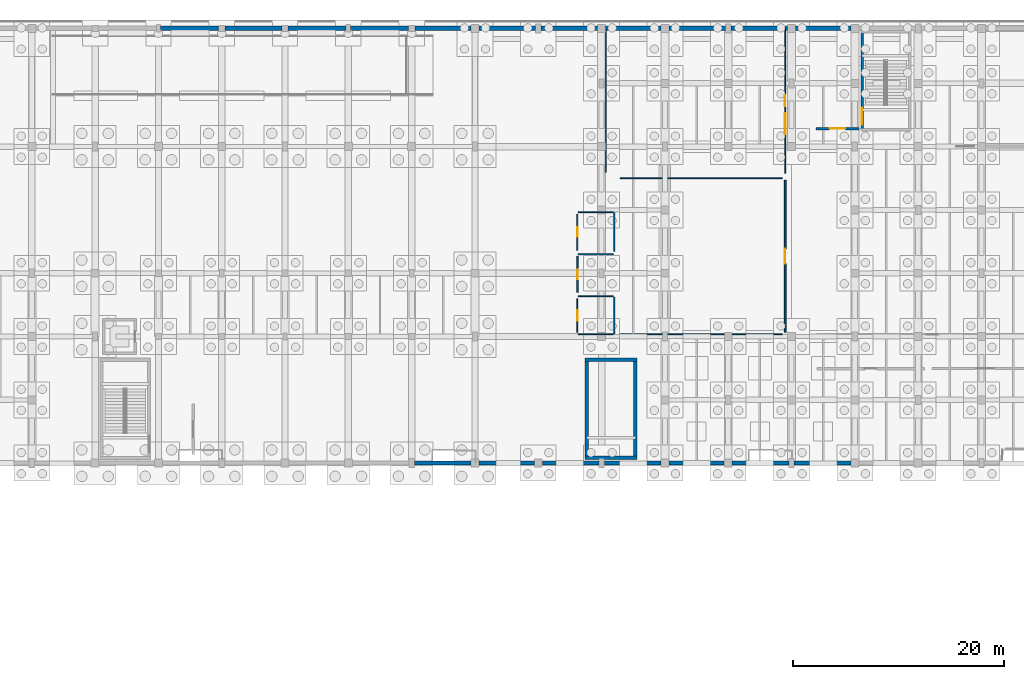
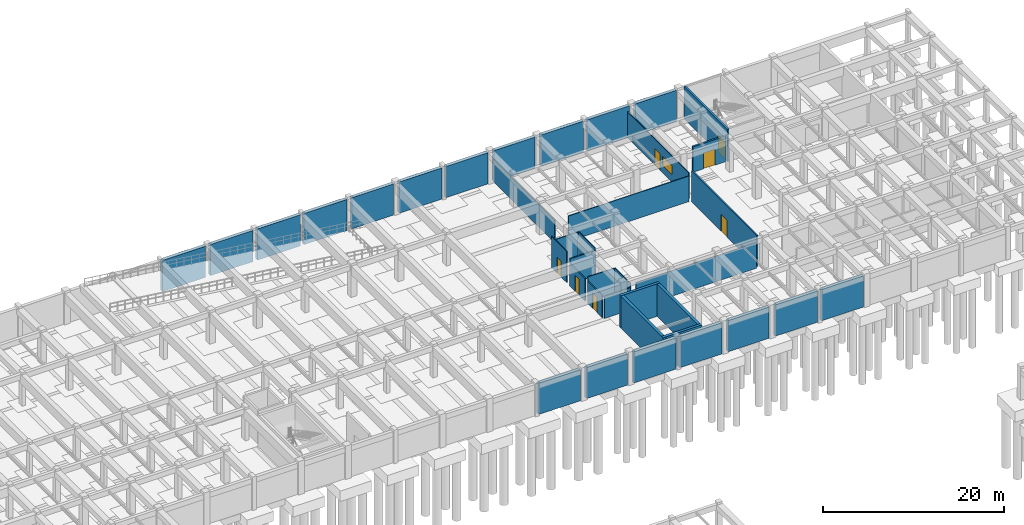
# One storey, part 20 of 32: 38 walls, 7 doors, 1 window, 8 openings.
"""IFC4 building model written with IfcOpenShell, lengths in metres."""

from ifc_helpers import new_model, si_unit, direction, frame, frame_2d, origin, place, context, subcontext, project, spatial, rectangle, extrude, material, layer, layer_set, type_object, element, fill, save


model = new_model("IFC4")

# Units and contexts
model_context = context("Model", 3, precision=1e-05, world=origin(), true_north=direction((0.0, 1.0)))
body_context = subcontext(model_context, "Body", "Model", "MODEL_VIEW")
ifc_project = project(units=[si_unit("LENGTHUNIT", "METRE"), si_unit("AREAUNIT", "SQUARE_METRE"), si_unit("VOLUMEUNIT", "CUBIC_METRE"), si_unit("PLANEANGLEUNIT", "RADIAN"), si_unit("MASSUNIT", "GRAM", prefix="KILO")], contexts=[model_context])

# Site, building, storey
site_placement = place(None, origin())
site = spatial("IfcSite", under=ifc_project, at=site_placement, CompositionType="ELEMENT")
building_placement = place(site_placement, origin())
building = spatial("IfcBuilding", under=site, at=building_placement, Name="Varnakota Square Police Headquarters", CompositionType="ELEMENT")
storey_placement = place(building_placement, frame((0.0, 0.0, -4.5)))
storey = spatial("IfcBuildingStorey", under=building, at=storey_placement, Name="B1", CompositionType="ELEMENT", Elevation=-4.5)

# Wall, opening, door
ifc_material_1 = material(Name="Concrete M40", Category="concrete")
ifc_layer_1 = layer(ifc_material_1, 0.22998046875, Name="Concrete M40")
ifc_layer_set_1 = layer_set([ifc_layer_1], Name="Concrete M40")
wall_type_1 = type_object("IfcWallType", Name="WL-CORE-230", PredefinedType="SHEAR", material=ifc_layer_set_1)
wall_1_placement = place(storey_placement, frame((132.699951171875, 110.014892578125, 0.0), z_axis=(0.0, 0.0, 1.0), x_axis=(0.0, -1.0, 0.0)))
wall_1 = element("IfcWall", 1, at=wall_1_placement, inside=storey, type_object=wall_type_1, Name="Core C8 shear wall B1 W", PredefinedType="SHEAR", context=body_context, shape_type="SweptSolid", body=[
    extrude(rectangle(XDim=9.52978515625, YDim=0.22998046875, at=frame_2d((4.764892578125, 0.0))), origin(), (0.0, 0.0, 1.0), 4.360107421875),
])
opening_1_placement = place(wall_1_placement, frame((7.3349609375, 0.0, 0.0)))
opening_1 = element("IfcOpeningElement", 2, at=opening_1_placement, cuts=wall_1, Name="Opening SD113", PredefinedType="OPENING", context=body_context, shape_type="SweptSolid", body=[
    extrude(rectangle(XDim=1.60009765625, YDim=2.199951171875, at=frame_2d((0.800048828125, 1.10009765625))), frame((0.0, 0.125, 0.0), z_axis=(0.0, -1.0, 0.0), x_axis=(1.0, 0.0, 0.0)), (0.0, 0.0, 1.0), 0.25),
])
ifc_material_2 = material(Name="Powder-Coated Galvanised Steel", Category="steel")
door_type_1 = type_object("IfcDoorType", Name="DR-ST-160", OperationType="NOTDEFINED", PredefinedType="DOOR", material=ifc_material_2)
door_1_placement = place(opening_1_placement, origin())
door_1 = element("IfcDoor", 3, at=door_1_placement, inside=storey, type_object=door_type_1, Name="Protected stair door SD113", OperationType="DOUBLE_DOOR_SINGLE_SWING", OverallHeight=2.199951171875, OverallWidth=1.60009765625, PredefinedType="DOOR", context=body_context, shape_type="SweptSolid", body=[
    extrude(rectangle(XDim=1.60009765625, YDim=2.199951171875, at=frame_2d((0.800048828125, 1.10009765625))), frame((0.0, 0.02490234375, 0.0), z_axis=(0.0, -1.0, 0.0), x_axis=(1.0, 0.0, 0.0)), (0.0, 0.0, 1.0), 0.050048828125),
])
fill(opening_1, door_1)

# Walls
ifc_material_3 = material(Name="Concrete M50", Category="concrete")
ifc_layer_2 = layer(ifc_material_3, 0.35009765625, Name="Concrete M50")
ifc_layer_set_2 = layer_set([ifc_layer_2], Name="Concrete M50")
wall_type_2 = type_object("IfcWallType", Name="WL-CORE-350", PredefinedType="SHEAR", material=ifc_layer_set_2)
wall_2_placement = place(storey_placement, frame((106.425048828125, 69.5, 0.0), z_axis=(0.0, 0.0, 1.0), x_axis=(1.0, 0.0, 0.0)))
element("IfcWall", 4, at=wall_2_placement, inside=storey, type_object=wall_type_2, Name="Core C9 shear wall B1 S", PredefinedType="SHEAR", context=body_context, shape_type="SweptSolid", body=[
    extrude(rectangle(XDim=4.949951171875, YDim=0.35009765625, at=frame_2d((2.47509765625, 0.0))), origin(), (0.0, 0.0, 1.0), 4.360107421875),
])
wall_3_placement = place(storey_placement, frame((111.199951171875, 69.324951171875, 0.0), z_axis=(0.0, 0.0, 1.0), x_axis=(0.0, 1.0, 0.0)))
element("IfcWall", 5, at=wall_3_placement, inside=storey, type_object=wall_type_2, Name="Core C9 shear wall B1 E", PredefinedType="SHEAR", context=body_context, shape_type="SweptSolid", body=[
    extrude(rectangle(XDim=9.650146484375, YDim=0.35009765625, at=frame_2d((4.8251953125, 0.0))), origin(), (0.0, 0.0, 1.0), 4.360107421875),
])
wall_4_placement = place(storey_placement, frame((111.375, 78.800048828125, 0.0), z_axis=(0.0, 0.0, 1.0), x_axis=(-1.0, 0.0, 0.0)))
element("IfcWall", 6, at=wall_4_placement, inside=storey, type_object=wall_type_2, Name="Core C9 shear wall B1 N", PredefinedType="SHEAR", context=body_context, shape_type="SweptSolid", body=[
    extrude(rectangle(XDim=4.949951171875, YDim=0.35009765625, at=frame_2d((2.47509765625, 0.0))), origin(), (0.0, 0.0, 1.0), 4.360107421875),
])
wall_5_placement = place(storey_placement, frame((106.60009765625, 78.97509765625, 0.0), z_axis=(0.0, 0.0, 1.0), x_axis=(0.0, -1.0, 0.0)))
element("IfcWall", 7, at=wall_5_placement, inside=storey, type_object=wall_type_2, Name="Core C9 shear wall B1 W", PredefinedType="SHEAR", context=body_context, shape_type="SweptSolid", body=[
    extrude(rectangle(XDim=9.650146484375, YDim=0.35009765625, at=frame_2d((4.8251953125, 0.0))), origin(), (0.0, 0.0, 1.0), 4.360107421875),
])
ifc_material_4 = material(Name="Lightweight Demountable Office Partition", Category="gypsum")
ifc_layer_3 = layer(ifc_material_4, 0.094970703125, Name="Lightweight Demountable Office Partition")
ifc_layer_set_3 = layer_set([ifc_layer_3], Name="Lightweight Demountable Office Partition")
wall_type_3 = type_object("IfcWallType", Name="WL-PRT-095", PredefinedType="PARTITIONING", material=ifc_layer_set_3)
for number, where, z_axis, x_axis, name in (
    (8, (105.780029296875, 84.800048828125, 0.0), (0.0, 0.0, 1.0), (1.0, 0.0, 0.0), "Interior dividing partition PW-B1-0012 (Basement Accessible WC)"),
    (9, (105.780029296875, 92.800048828125, 0.0), (0.0, 0.0, 1.0), (1.0, 0.0, 0.0), "Interior dividing partition PW-B1-0015 (Basement Staff Women Washroom WC)"),
):
    element("IfcWall", number, at=place(storey_placement, frame(where, z_axis=z_axis, x_axis=x_axis)), inside=storey, type_object=wall_type_3, Name=name, PredefinedType="PARTITIONING", context=body_context, shape_type="SweptSolid", body=[
        extrude(rectangle(XDim=3.340087890625, YDim=0.094970703125, at=frame_2d((1.669921875, 0.0))), origin(), (0.0, 0.0, 1.0), 3.43994140625),
    ])
wall_6_placement = place(storey_placement, frame((109.780029296875, 96.0, 0.0), z_axis=(0.0, 0.0, 1.0), x_axis=(1.0, 0.0, 0.0)))
element("IfcWall", 10, at=wall_6_placement, inside=storey, type_object=wall_type_3, Name="Interior dividing partition PW-B1-0017 (Central Armoury Vault)", PredefinedType="PARTITIONING", context=body_context, shape_type="SweptSolid", body=[
    extrude(rectangle(XDim=15.340087890625, YDim=0.094970703125, at=frame_2d((7.669921875, 0.0))), origin(), (0.0, 0.0, 1.0), 3.43994140625),
])

# Wall, opening, door
ifc_material_5 = material(Name="Glazed Clean-Lab Modular Partition", Category="gypsum")
ifc_layer_4 = layer(ifc_material_5, 0.10498046875, Name="Glazed Clean-Lab Modular Partition")
ifc_layer_set_4 = layer_set([ifc_layer_4], Name="Glazed Clean-Lab Modular Partition")
wall_type_4 = type_object("IfcWallType", Name="WL-PRT-105", PredefinedType="PARTITIONING", material=ifc_layer_set_4)
wall_7_placement = place(storey_placement, frame((105.699951171875, 81.39990234375, 0.0), z_axis=(0.0, 0.0, 1.0), x_axis=(0.0, 1.0, 0.0)))
wall_7 = element("IfcWall", 11, at=wall_7_placement, inside=storey, type_object=wall_type_4, Name="Interior partition PW-B1-0001 (Basement Accessible WC)", PredefinedType="PARTITIONING", context=body_context, shape_type="SweptSolid", body=[
    extrude(rectangle(XDim=3.2001953125, YDim=0.10498046875, at=frame_2d((1.60009765625, 0.0))), origin(), (0.0, 0.0, 1.0), 2.989990234375),
])
opening_2_placement = place(wall_7_placement, frame((1.10009765625, 0.0, 0.0)))
opening_2 = element("IfcOpeningElement", 12, at=opening_2_placement, cuts=wall_7, Name="Opening D143", PredefinedType="OPENING", context=body_context, shape_type="SweptSolid", body=[
    extrude(rectangle(XDim=1.0, YDim=2.10009765625, at=frame_2d((0.5, 1.050048828125))), frame((0.0, 0.0625, 0.0), z_axis=(0.0, -1.0, 0.0), x_axis=(1.0, 0.0, 0.0)), (0.0, 0.0, 1.0), 0.125),
])
ifc_material_6 = material(Name="Antimicrobial High-Pressure Compact Laminate")
door_type_2 = type_object("IfcDoorType", Name="DR-WCA-100", OperationType="NOTDEFINED", PredefinedType="DOOR", material=ifc_material_6)
door_2_placement = place(opening_2_placement, origin())
door_2 = element("IfcDoor", 13, at=door_2_placement, inside=storey, type_object=door_type_2, Name="Room door D143 (Basement Accessible WC)", OperationType="SINGLE_SWING_LEFT", OverallHeight=2.10009765625, OverallWidth=1.0, PredefinedType="DOOR", context=body_context, shape_type="SweptSolid", body=[
    extrude(rectangle(XDim=1.0, YDim=2.10009765625, at=frame_2d((0.5, 1.050048828125))), frame((0.0, 0.02490234375, 0.0), z_axis=(0.0, -1.0, 0.0), x_axis=(1.0, 0.0, 0.0)), (0.0, 0.0, 1.0), 0.050048828125),
])
fill(opening_2, door_2)

# Wall, openings, door, window
wall_8_placement = place(storey_placement, frame((125.39990234375, 110.199951171875, 0.0), z_axis=(0.0, 0.0, 1.0), x_axis=(0.0, -1.0, 0.0)))
wall_8 = element("IfcWall", 14, at=wall_8_placement, inside=storey, type_object=wall_type_4, Name="Interior partition PW-B1-0005 (Quartermaster General Store)", PredefinedType="PARTITIONING", context=body_context, shape_type="SweptSolid", body=[
    extrude(rectangle(XDim=13.699951171875, YDim=0.10498046875, at=frame_2d((6.85009765625, 0.0))), origin(), (0.0, 0.0, 1.0), 3.489990234375),
])
opening_3_placement = place(wall_8_placement, frame((6.324951171875, 0.0, 0.0)))
opening_3 = element("IfcOpeningElement", 15, at=opening_3_placement, cuts=wall_8, Name="Opening D147", PredefinedType="OPENING", context=body_context, shape_type="SweptSolid", body=[
    extrude(rectangle(XDim=1.050048828125, YDim=2.199951171875, at=frame_2d((0.52490234375, 1.10009765625))), frame((0.0, 0.0625, 0.0), z_axis=(0.0, -1.0, 0.0), x_axis=(1.0, 0.0, 0.0)), (0.0, 0.0, 1.0), 0.125),
])
opening_4_placement = place(wall_8_placement, frame((8.02490234375, 0.0, 1.0)))
opening_4 = element("IfcOpeningElement", 16, at=opening_4_placement, cuts=wall_8, Name="Opening IW01", PredefinedType="OPENING", context=body_context, shape_type="SweptSolid", body=[
    extrude(rectangle(XDim=2.0, YDim=1.199951171875, at=frame_2d((1.0, 0.60009765625))), frame((0.0, 0.0625, 0.0), z_axis=(0.0, -1.0, 0.0), x_axis=(1.0, 0.0, 0.0)), (0.0, 0.0, 1.0), 0.125),
])
ifc_material_7 = material(Name="Anodised Aluminium and Laminated Acoustic Glass", Category="aluminium")
door_type_3 = type_object("IfcDoorType", Name="DR-OFF-105", OperationType="NOTDEFINED", PredefinedType="DOOR", material=ifc_material_7)
door_3_placement = place(opening_3_placement, origin())
door_3 = element("IfcDoor", 17, at=door_3_placement, inside=storey, type_object=door_type_3, Name="Room door D147 (Quartermaster General Store)", OperationType="SINGLE_SWING_LEFT", OverallHeight=2.199951171875, OverallWidth=1.050048828125, PredefinedType="DOOR", context=body_context, shape_type="SweptSolid", body=[
    extrude(rectangle(XDim=1.050048828125, YDim=2.199951171875, at=frame_2d((0.52490234375, 1.10009765625))), frame((0.0, 0.02490234375, 0.0), z_axis=(0.0, -1.0, 0.0), x_axis=(1.0, 0.0, 0.0)), (0.0, 0.0, 1.0), 0.050048828125),
])
fill(opening_3, door_3)
ifc_material_8 = material(Name="Acoustic Laminated Interior Vision Glazing", Category="glass")
window_type = type_object("IfcWindowType", Name="WIN-INT-01", PartitioningType="SINGLE_PANEL", PredefinedType="WINDOW", material=ifc_material_8)
window_placement = place(opening_4_placement, origin())
window = element("IfcWindow", 18, at=window_placement, inside=storey, type_object=window_type, Name="Interior observation window IWN-B1-001", OverallHeight=1.199951171875, OverallWidth=2.0, PartitioningType="SINGLE_PANEL", PredefinedType="WINDOW", context=body_context, shape_type="SweptSolid", body=[
    extrude(rectangle(XDim=2.0, YDim=1.199951171875, at=frame_2d((1.0, 0.60009765625))), frame((0.0, 0.030029296875, 0.0), z_axis=(0.0, -1.0, 0.0), x_axis=(1.0, 0.0, 0.0)), (0.0, 0.0, 1.0), 0.06005859375),
])
fill(opening_4, window)

# Walls
wall_9_placement = place(storey_placement, frame((109.1201171875, 81.199951171875, 0.0), z_axis=(0.0, 0.0, 1.0), x_axis=(-1.0, 0.0, 0.0)))
element("IfcWall", 19, at=wall_9_placement, inside=storey, type_object=wall_type_4, Name="Interior dividing partition PW-B1-0011 (Basement Accessible WC)", PredefinedType="PARTITIONING", context=body_context, shape_type="SweptSolid", body=[
    extrude(rectangle(XDim=3.340087890625, YDim=0.10498046875, at=frame_2d((1.669921875, 0.0))), origin(), (0.0, 0.0, 1.0), 2.989990234375),
])
wall_10_placement = place(storey_placement, frame((109.199951171875, 92.719970703125, 0.0), z_axis=(0.0, 0.0, 1.0), x_axis=(0.0, -1.0, 0.0)))
element("IfcWall", 20, at=wall_10_placement, inside=storey, type_object=wall_type_4, Name="Interior dividing partition PW-B1-0014 (Basement Staff Women Washroom WC)", PredefinedType="PARTITIONING", context=body_context, shape_type="SweptSolid", body=[
    extrude(rectangle(XDim=3.639892578125, YDim=0.10498046875, at=frame_2d((1.81982421875, 0.0))), origin(), (0.0, 0.0, 1.0), 3.489990234375),
])
wall_11_placement = place(storey_placement, frame((125.1201171875, 81.199951171875, 0.0), z_axis=(0.0, 0.0, 1.0), x_axis=(-1.0, 0.0, 0.0)))
element("IfcWall", 21, at=wall_11_placement, inside=storey, type_object=wall_type_4, Name="Interior dividing partition PW-B1-0016 (Central Armoury Vault)", PredefinedType="PARTITIONING", context=body_context, shape_type="SweptSolid", body=[
    extrude(rectangle(XDim=15.340087890625, YDim=0.10498046875, at=frame_2d((7.669921875, 0.0))), origin(), (0.0, 0.0, 1.0), 3.43994140625),
])

# Wall, opening, door
ifc_material_9 = material(Name="Moisture-Resistant Tile-Backed Partition", Category="gypsum")
ifc_layer_5 = layer(ifc_material_9, 0.114990234375, Name="Moisture-Resistant Tile-Backed Partition")
ifc_layer_set_5 = layer_set([ifc_layer_5], Name="Moisture-Resistant Tile-Backed Partition")
wall_type_5 = type_object("IfcWallType", Name="WL-PRT-115", PredefinedType="PARTITIONING", material=ifc_layer_set_5)
wall_12_placement = place(storey_placement, frame((105.699951171875, 89.199951171875, 0.0), z_axis=(0.0, 0.0, 1.0), x_axis=(0.0, 1.0, 0.0)))
wall_12 = element("IfcWall", 22, at=wall_12_placement, inside=storey, type_object=wall_type_5, Name="Interior partition PW-B1-0003 (Basement Staff Women Washroom WC)", PredefinedType="PARTITIONING", context=body_context, shape_type="SweptSolid", body=[
    extrude(rectangle(XDim=3.400146484375, YDim=0.114990234375, at=frame_2d((1.7001953125, 0.0))), origin(), (0.0, 0.0, 1.0), 4.18994140625),
])
opening_5_placement = place(wall_12_placement, frame((1.25, 0.0, 0.0)))
opening_5 = element("IfcOpeningElement", 23, at=opening_5_placement, cuts=wall_12, Name="Opening D145", PredefinedType="OPENING", context=body_context, shape_type="SweptSolid", body=[
    extrude(rectangle(XDim=0.89990234375, YDim=2.10009765625, at=frame_2d((0.449951171875, 1.050048828125))), frame((0.0, 0.0673828125, 0.0), z_axis=(0.0, -1.0, 0.0), x_axis=(1.0, 0.0, 0.0)), (0.0, 0.0, 1.0), 0.135009765625),
])
ifc_material_10 = material(Name="High-Pressure Moisture-Resistant Compact Laminate")
door_type_4 = type_object("IfcDoorType", Name="DR-WC-090", OperationType="NOTDEFINED", PredefinedType="DOOR", material=ifc_material_10)
door_4_placement = place(opening_5_placement, origin())
door_4 = element("IfcDoor", 24, at=door_4_placement, inside=storey, type_object=door_type_4, Name="Room door D145 (Basement Staff Women Washroom WC)", OperationType="SINGLE_SWING_LEFT", OverallHeight=2.10009765625, OverallWidth=0.89990234375, PredefinedType="DOOR", context=body_context, shape_type="SweptSolid", body=[
    extrude(rectangle(XDim=0.89990234375, YDim=2.10009765625, at=frame_2d((0.449951171875, 1.050048828125))), frame((0.0, 0.02490234375, 0.0), z_axis=(0.0, -1.0, 0.0), x_axis=(1.0, 0.0, 0.0)), (0.0, 0.0, 1.0), 0.050048828125),
])
fill(opening_5, door_4)

# Walls
wall_13_placement = place(storey_placement, frame((109.199951171875, 84.719970703125, 0.0), z_axis=(0.0, 0.0, 1.0), x_axis=(0.0, -1.0, 0.0)))
element("IfcWall", 25, at=wall_13_placement, inside=storey, type_object=wall_type_5, Name="Interior dividing partition PW-B1-0010 (Basement Accessible WC)", PredefinedType="PARTITIONING", context=body_context, shape_type="SweptSolid", body=[
    extrude(rectangle(XDim=3.43994140625, YDim=0.114990234375, at=frame_2d((1.719970703125, 0.0))), origin(), (0.0, 0.0, 1.0), 3.489990234375),
])
ifc_material_11 = material(Name="Acoustic Insulated Metal-Stud Partition", Category="gypsum")
ifc_layer_6 = layer(ifc_material_11, 0.125, Name="Acoustic Insulated Metal-Stud Partition")
ifc_layer_set_6 = layer_set([ifc_layer_6], Name="Acoustic Insulated Metal-Stud Partition")
wall_type_6 = type_object("IfcWallType", Name="WL-PRT-125", PredefinedType="PARTITIONING", material=ifc_layer_set_6)
wall_14_placement = place(storey_placement, frame((105.780029296875, 88.800048828125, 0.0), z_axis=(0.0, 0.0, 1.0), x_axis=(1.0, 0.0, 0.0)))
element("IfcWall", 26, at=wall_14_placement, inside=storey, type_object=wall_type_6, Name="Interior dividing partition PW-B1-0013 (Basement Staff Men Washroom WC)", PredefinedType="PARTITIONING", context=body_context, shape_type="SweptSolid", body=[
    extrude(rectangle(XDim=3.340087890625, YDim=0.125, at=frame_2d((1.669921875, 0.0))), origin(), (0.0, 0.0, 1.0), 3.43994140625),
])
wall_15_placement = place(storey_placement, frame((108.39990234375, 96.580078125, 0.0), z_axis=(0.0, 0.0, 1.0), x_axis=(0.0, 1.0, 0.0)))
element("IfcWall", 27, at=wall_15_placement, inside=storey, type_object=wall_type_6, Name="Interior dividing partition PW-B1-0018 (Quartermaster General Store)", PredefinedType="PARTITIONING", context=body_context, shape_type="SweptSolid", body=[
    extrude(rectangle(XDim=13.5400390625, YDim=0.125, at=frame_2d((6.77001953125, 0.0))), origin(), (0.0, 0.0, 1.0), 2.989990234375),
])

# Wall, opening, door
ifc_layer_7 = layer(ifc_material_11, 0.139892578125, Name="Acoustic Insulated Metal-Stud Partition")
ifc_layer_set_7 = layer_set([ifc_layer_7], Name="Acoustic Insulated Metal-Stud Partition")
wall_type_7 = type_object("IfcWallType", Name="WL-PRT-140", PredefinedType="PARTITIONING", material=ifc_layer_set_7)
wall_16_placement = place(storey_placement, frame((105.699951171875, 85.199951171875, 0.0), z_axis=(0.0, 0.0, 1.0), x_axis=(0.0, 1.0, 0.0)))
wall_16 = element("IfcWall", 28, at=wall_16_placement, inside=storey, type_object=wall_type_7, Name="Interior partition PW-B1-0002 (Basement Staff Men Washroom WC)", PredefinedType="PARTITIONING", context=body_context, shape_type="SweptSolid", body=[
    extrude(rectangle(XDim=3.400146484375, YDim=0.139892578125, at=frame_2d((1.7001953125, 0.0))), origin(), (0.0, 0.0, 1.0), 2.989990234375),
])
opening_6_placement = place(wall_16_placement, frame((1.25, 0.0, 0.0)))
opening_6 = element("IfcOpeningElement", 29, at=opening_6_placement, cuts=wall_16, Name="Opening D144", PredefinedType="OPENING", context=body_context, shape_type="SweptSolid", body=[
    extrude(rectangle(XDim=0.89990234375, YDim=2.10009765625, at=frame_2d((0.449951171875, 1.050048828125))), frame((0.0, 0.079833984375, 0.0), z_axis=(0.0, -1.0, 0.0), x_axis=(1.0, 0.0, 0.0)), (0.0, 0.0, 1.0), 0.159912109375),
])
door_5_placement = place(opening_6_placement, origin())
door_5 = element("IfcDoor", 30, at=door_5_placement, inside=storey, type_object=door_type_4, Name="Room door D144 (Basement Staff Men Washroom WC)", OperationType="SINGLE_SWING_RIGHT", OverallHeight=2.10009765625, OverallWidth=0.89990234375, PredefinedType="DOOR", context=body_context, shape_type="SweptSolid", body=[
    extrude(rectangle(XDim=0.89990234375, YDim=2.10009765625, at=frame_2d((0.449951171875, 1.050048828125))), frame((0.0, 0.02490234375, 0.0), z_axis=(0.0, -1.0, 0.0), x_axis=(1.0, 0.0, 0.0)), (0.0, 0.0, 1.0), 0.050048828125),
])
fill(opening_6, door_5)

ifc_material_12 = material(Name="Autoclaved Aerated Concrete Blockwork", Category="masonry")
ifc_layer_8 = layer(ifc_material_12, 0.175048828125, Name="Autoclaved Aerated Concrete Blockwork")
ifc_layer_set_8 = layer_set([ifc_layer_8], Name="Autoclaved Aerated Concrete Blockwork")
wall_type_8 = type_object("IfcWallType", Name="WL-PRT-175F", PredefinedType="PARTITIONING", material=ifc_layer_set_8)
wall_17_placement = place(storey_placement, frame((125.39990234375, 95.800048828125, 0.0), z_axis=(0.0, 0.0, 1.0), x_axis=(0.0, -1.0, 0.0)))
wall_17 = element("IfcWall", 31, at=wall_17_placement, inside=storey, type_object=wall_type_8, Name="Interior partition PW-B1-0004 (Central Armoury Vault)", PredefinedType="PARTITIONING", context=body_context, shape_type="SweptSolid", body=[
    extrude(rectangle(XDim=14.400146484375, YDim=0.175048828125, at=frame_2d((7.2001953125, 0.0))), origin(), (0.0, 0.0, 1.0), 4.18994140625),
])
opening_7_placement = place(wall_17_placement, frame((6.5, 0.0, 0.0)))
opening_7 = element("IfcOpeningElement", 32, at=opening_7_placement, cuts=wall_17, Name="Opening D146", PredefinedType="OPENING", context=body_context, shape_type="SweptSolid", body=[
    extrude(rectangle(XDim=1.39990234375, YDim=2.25, at=frame_2d((0.699951171875, 1.125))), frame((0.0, 0.097412109375, 0.0), z_axis=(0.0, -1.0, 0.0), x_axis=(1.0, 0.0, 0.0)), (0.0, 0.0, 1.0), 0.195068359375),
])
ifc_material_13 = material(Name="Heavy-Plate Ballistic Armour Steel", Category="steel")
door_type_5 = type_object("IfcDoorType", Name="DR-VLT-140", OperationType="NOTDEFINED", PredefinedType="DOOR", material=ifc_material_13)
door_6_placement = place(opening_7_placement, origin())
door_6 = element("IfcDoor", 33, at=door_6_placement, inside=storey, type_object=door_type_5, Name="Room door D146 (Central Armoury Vault)", OperationType="SINGLE_SWING_RIGHT", OverallHeight=2.25, OverallWidth=1.39990234375, PredefinedType="DOOR", context=body_context, shape_type="SweptSolid", body=[
    extrude(rectangle(XDim=1.39990234375, YDim=2.25, at=frame_2d((0.699951171875, 1.125))), frame((0.0, 0.02490234375, 0.0), z_axis=(0.0, -1.0, 0.0), x_axis=(1.0, 0.0, 0.0)), (0.0, 0.0, 1.0), 0.050048828125),
])
fill(opening_7, door_6)

ifc_layer_9 = layer(ifc_material_1, 0.215087890625, Name="Concrete M40")
ifc_layer_set_9 = layer_set([ifc_layer_9], Name="Concrete M40")
wall_type_9 = type_object("IfcWallType", Name="WL-PRT-215F", PredefinedType="PARTITIONING", material=ifc_layer_set_9)
wall_18_placement = place(storey_placement, frame((128.300048828125, 100.699951171875, 0.0), z_axis=(0.0, 0.0, 1.0), x_axis=(1.0, 0.0, 0.0)))
wall_18 = element("IfcWall", 34, at=wall_18_placement, inside=storey, type_object=wall_type_9, Name="Core C8 lobby fire partition B1", PredefinedType="PARTITIONING", context=body_context, shape_type="SweptSolid", body=[
    extrude(rectangle(XDim=4.099853515625, YDim=0.215087890625, at=frame_2d((2.0498046875, 0.0))), origin(), (0.0, 0.0, 1.0), 3.43994140625),
])
opening_8_placement = place(wall_18_placement, frame((1.300048828125, 0.0, 0.0)))
opening_8 = element("IfcOpeningElement", 35, at=opening_8_placement, cuts=wall_18, Name="Opening FD118", PredefinedType="OPENING", context=body_context, shape_type="SweptSolid", body=[
    extrude(rectangle(XDim=1.5, YDim=2.14990234375, at=frame_2d((0.75, 1.074951171875))), frame((0.0, 0.117431640625, 0.0), z_axis=(0.0, -1.0, 0.0), x_axis=(1.0, 0.0, 0.0)), (0.0, 0.0, 1.0), 0.235107421875),
])
ifc_material_14 = material(Name="Smoke-Sealed Galvanised Acoustic Steel", Category="steel")
door_type_6 = type_object("IfcDoorType", Name="DR-FFL-150", OperationType="NOTDEFINED", PredefinedType="DOOR", material=ifc_material_14)
door_7_placement = place(opening_8_placement, origin())
door_7 = element("IfcDoor", 36, at=door_7_placement, inside=storey, type_object=door_type_6, Name="Core lobby smoke door FD118", OperationType="DOUBLE_DOOR_SINGLE_SWING", OverallHeight=2.14990234375, OverallWidth=1.5, PredefinedType="DOOR", context=body_context, shape_type="SweptSolid", body=[
    extrude(rectangle(XDim=1.5, YDim=2.14990234375, at=frame_2d((0.75, 1.074951171875))), frame((0.0, 0.02490234375, 0.0), z_axis=(0.0, -1.0, 0.0), x_axis=(1.0, 0.0, 0.0)), (0.0, 0.0, 1.0), 0.050048828125),
])
fill(opening_8, door_7)

# Walls
ifc_layer_10 = layer(ifc_material_1, 0.3798828125, Name="Concrete M40")
ifc_layer_set_10 = layer_set([ifc_layer_10], Name="Concrete M40")
wall_type_10 = type_object("IfcWallType", Name="WL-RET-380", PredefinedType="SHEAR", material=ifc_layer_set_10)
wall_19_placement = place(storey_placement, frame((90.25390625, 69.0, 0.0), z_axis=(0.0, 0.0, 1.0), x_axis=(1.0, 0.0, 0.0)))
element("IfcWall", 37, at=wall_19_placement, inside=storey, type_object=wall_type_10, Name="Exterior wall EW-B1-0022", PredefinedType="SHEAR", context=body_context, shape_type="SweptSolid", body=[
    extrude(rectangle(XDim=5.3671875, YDim=0.3798828125, at=frame_2d((2.68359375, 0.0))), origin(), (0.0, 0.0, 1.0), 4.195068359375),
])
wall_20_placement = place(storey_placement, frame((96.37890625, 69.0, 0.0), z_axis=(0.0, 0.0, 1.0), x_axis=(1.0, 0.0, 0.0)))
element("IfcWall", 38, at=wall_20_placement, inside=storey, type_object=wall_type_10, Name="Exterior wall EW-B1-0024", PredefinedType="SHEAR", context=body_context, shape_type="SweptSolid", body=[
    extrude(rectangle(XDim=5.2421875, YDim=0.3798828125, at=frame_2d((2.62109375, 0.0))), origin(), (0.0, 0.0, 1.0), 4.195068359375),
])
for number, where, z_axis, x_axis, name in (
    (39, (102.37890625, 69.0, 0.0), (0.0, 0.0, 1.0), (1.0, 0.0, 0.0), "Exterior wall EW-B1-0026"),
    (40, (108.25390625, 69.0, 0.0), (0.0, 0.0, 1.0), (1.0, 0.0, 0.0), "Exterior wall EW-B1-0028"),
):
    element("IfcWall", number, at=place(storey_placement, frame(where, z_axis=z_axis, x_axis=x_axis)), inside=storey, type_object=wall_type_10, Name=name, PredefinedType="SHEAR", context=body_context, shape_type="SweptSolid", body=[
        extrude(rectangle(XDim=5.3671875, YDim=0.3798828125, at=frame_2d((2.68359375, 0.0))), origin(), (0.0, 0.0, 1.0), 4.195068359375),
    ])
wall_21_placement = place(storey_placement, frame((114.37890625, 69.0, 0.0), z_axis=(0.0, 0.0, 1.0), x_axis=(1.0, 0.0, 0.0)))
element("IfcWall", 41, at=wall_21_placement, inside=storey, type_object=wall_type_10, Name="Exterior wall EW-B1-0030", PredefinedType="SHEAR", context=body_context, shape_type="SweptSolid", body=[
    extrude(rectangle(XDim=5.2421875, YDim=0.3798828125, at=frame_2d((2.62109375, 0.0))), origin(), (0.0, 0.0, 1.0), 4.195068359375),
])
for number, where, z_axis, x_axis, name in (
    (42, (120.37890625, 69.0, 0.0), (0.0, 0.0, 1.0), (1.0, 0.0, 0.0), "Exterior wall EW-B1-0032"),
    (43, (126.25390625, 69.0, 0.0), (0.0, 0.0, 1.0), (1.0, 0.0, 0.0), "Exterior wall EW-B1-0034"),
):
    element("IfcWall", number, at=place(storey_placement, frame(where, z_axis=z_axis, x_axis=x_axis)), inside=storey, type_object=wall_type_10, Name=name, PredefinedType="SHEAR", context=body_context, shape_type="SweptSolid", body=[
        extrude(rectangle(XDim=5.3671875, YDim=0.3798828125, at=frame_2d((2.68359375, 0.0))), origin(), (0.0, 0.0, 1.0), 4.195068359375),
    ])
ifc_layer_11 = layer(ifc_material_3, 0.419921875, Name="Concrete M50")
ifc_layer_set_11 = layer_set([ifc_layer_11], Name="Concrete M50")
wall_type_11 = type_object("IfcWallType", Name="WL-RET-420", PredefinedType="SHEAR", material=ifc_layer_set_11)
wall_22_placement = place(storey_placement, frame((66.2041015625, 110.199951171875, 0.0), z_axis=(0.0, 0.0, 1.0), x_axis=(1.0, 0.0, 0.0)))
element("IfcWall", 44, at=wall_22_placement, inside=storey, type_object=wall_type_11, Name="Exterior wall EW-B1-0015", PredefinedType="SHEAR", context=body_context, shape_type="SweptSolid", body=[
    extrude(rectangle(XDim=5.491943359375, YDim=0.419921875, at=frame_2d((2.74609375, 0.0))), origin(), (0.0, 0.0, 1.0), 4.195068359375),
])
wall_23_placement = place(storey_placement, frame((72.303955078125, 110.199951171875, 0.0), z_axis=(0.0, 0.0, 1.0), x_axis=(1.0, 0.0, 0.0)))
element("IfcWall", 45, at=wall_23_placement, inside=storey, type_object=wall_type_11, Name="Exterior wall EW-B1-0017", PredefinedType="SHEAR", context=body_context, shape_type="SweptSolid", body=[
    extrude(rectangle(XDim=5.39208984375, YDim=0.419921875, at=frame_2d((2.696044921875, 0.0))), origin(), (0.0, 0.0, 1.0), 4.195068359375),
])
for number, where, z_axis, x_axis, name in (
    (46, (78.303955078125, 110.199951171875, 0.0), (0.0, 0.0, 1.0), (1.0, 0.0, 0.0), "Exterior wall EW-B1-0019"),
    (47, (84.2041015625, 110.199951171875, 0.0), (0.0, 0.0, 1.0), (1.0, 0.0, 0.0), "Exterior wall EW-B1-0021"),
):
    element("IfcWall", number, at=place(storey_placement, frame(where, z_axis=z_axis, x_axis=x_axis)), inside=storey, type_object=wall_type_11, Name=name, PredefinedType="SHEAR", context=body_context, shape_type="SweptSolid", body=[
        extrude(rectangle(XDim=5.491943359375, YDim=0.419921875, at=frame_2d((2.74609375, 0.0))), origin(), (0.0, 0.0, 1.0), 4.195068359375),
    ])
wall_24_placement = place(storey_placement, frame((90.303955078125, 110.199951171875, 0.0), z_axis=(0.0, 0.0, 1.0), x_axis=(1.0, 0.0, 0.0)))
element("IfcWall", 48, at=wall_24_placement, inside=storey, type_object=wall_type_11, Name="Exterior wall EW-B1-0023", PredefinedType="SHEAR", context=body_context, shape_type="SweptSolid", body=[
    extrude(rectangle(XDim=5.317138671875, YDim=0.419921875, at=frame_2d((2.65869140625, 0.0))), origin(), (0.0, 0.0, 1.0), 4.195068359375),
])
for number, where, z_axis, x_axis, name in (
    (49, (96.37890625, 110.199951171875, 0.0), (0.0, 0.0, 1.0), (1.0, 0.0, 0.0), "Exterior wall EW-B1-0025"),
    (50, (102.25390625, 110.199951171875, 0.0), (0.0, 0.0, 1.0), (1.0, 0.0, 0.0), "Exterior wall EW-B1-0027"),
):
    element("IfcWall", number, at=place(storey_placement, frame(where, z_axis=z_axis, x_axis=x_axis)), inside=storey, type_object=wall_type_11, Name=name, PredefinedType="SHEAR", context=body_context, shape_type="SweptSolid", body=[
        extrude(rectangle(XDim=5.3671875, YDim=0.419921875, at=frame_2d((2.68359375, 0.0))), origin(), (0.0, 0.0, 1.0), 4.195068359375),
    ])
wall_25_placement = place(storey_placement, frame((108.37890625, 110.199951171875, 0.0), z_axis=(0.0, 0.0, 1.0), x_axis=(1.0, 0.0, 0.0)))
element("IfcWall", 51, at=wall_25_placement, inside=storey, type_object=wall_type_11, Name="Exterior wall EW-B1-0029", PredefinedType="SHEAR", context=body_context, shape_type="SweptSolid", body=[
    extrude(rectangle(XDim=5.2421875, YDim=0.419921875, at=frame_2d((2.62109375, 0.0))), origin(), (0.0, 0.0, 1.0), 4.195068359375),
])
for number, where, z_axis, x_axis, name in (
    (52, (114.37890625, 110.199951171875, 0.0), (0.0, 0.0, 1.0), (1.0, 0.0, 0.0), "Exterior wall EW-B1-0031"),
    (53, (120.25390625, 110.199951171875, 0.0), (0.0, 0.0, 1.0), (1.0, 0.0, 0.0), "Exterior wall EW-B1-0033"),
):
    element("IfcWall", number, at=place(storey_placement, frame(where, z_axis=z_axis, x_axis=x_axis)), inside=storey, type_object=wall_type_11, Name=name, PredefinedType="SHEAR", context=body_context, shape_type="SweptSolid", body=[
        extrude(rectangle(XDim=5.3671875, YDim=0.419921875, at=frame_2d((2.68359375, 0.0))), origin(), (0.0, 0.0, 1.0), 4.195068359375),
    ])
wall_26_placement = place(storey_placement, frame((126.37890625, 110.199951171875, 0.0), z_axis=(0.0, 0.0, 1.0), x_axis=(1.0, 0.0, 0.0)))
element("IfcWall", 54, at=wall_26_placement, inside=storey, type_object=wall_type_11, Name="Exterior wall EW-B1-0035", PredefinedType="SHEAR", context=body_context, shape_type="SweptSolid", body=[
    extrude(rectangle(XDim=5.2421875, YDim=0.419921875, at=frame_2d((2.62109375, 0.0))), origin(), (0.0, 0.0, 1.0), 4.195068359375),
])

save(model, "model.ifc")
